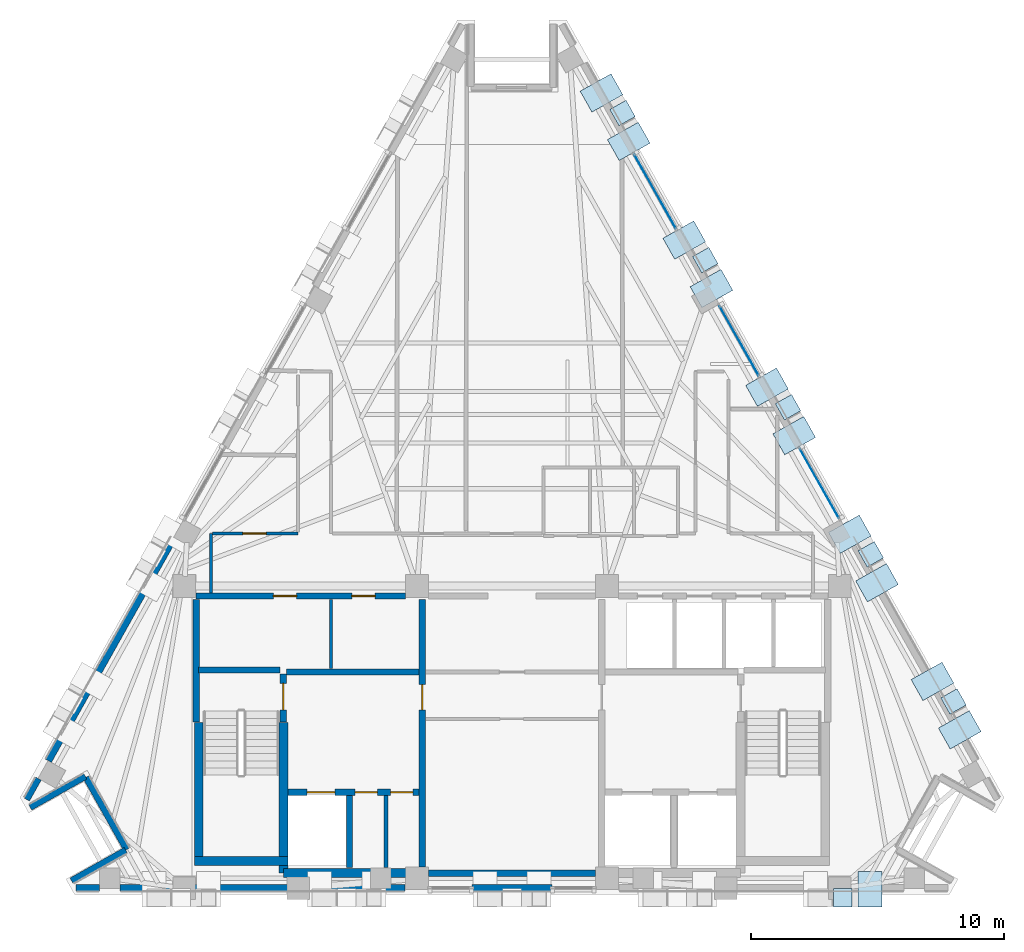
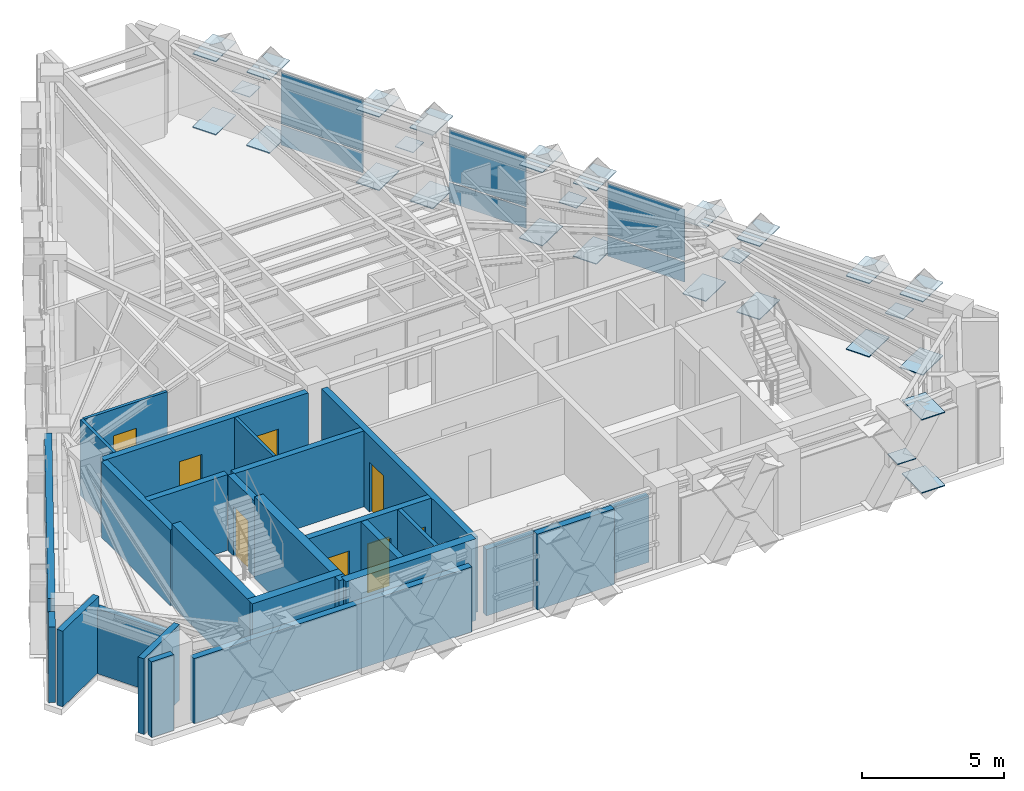
# One storey, part 6 of 10: 34 plates, 25 walls, 8 doors, 8 openings, 3 elements without a shape of their own.
"""IFC4 building model written with IfcOpenShell, lengths in metres."""

from ifc_helpers import new_model, si_unit, direction, frame, frame_2d, origin, origin_2d, place, context, subcontext, project, spatial, rectangle, extrude, material, layer, layer_set, type_object, element, fill, aggregate, save


model = new_model("IFC4")

# Units and contexts
model_context = context("Model", 3, precision=1e-05, world=origin(), true_north=direction((0.0, 1.0)))
body_context = subcontext(model_context, "Body", "Model", "MODEL_VIEW")
ifc_project = project(units=[si_unit("LENGTHUNIT", "METRE"), si_unit("AREAUNIT", "SQUARE_METRE"), si_unit("VOLUMEUNIT", "CUBIC_METRE"), si_unit("PLANEANGLEUNIT", "RADIAN"), si_unit("MASSUNIT", "GRAM", prefix="KILO")], contexts=[model_context])

# Site, building, storey
site_placement = place(None, origin())
site = spatial("IfcSite", under=ifc_project, at=site_placement, CompositionType="ELEMENT")
building_placement = place(site_placement, origin())
building = spatial("IfcBuilding", under=site, at=building_placement, Name="Quenlor Broadcast Tower", CompositionType="ELEMENT")
storey_placement = place(building_placement, frame((0.0, 0.0, 232.39990234375)))
storey = spatial("IfcBuildingStorey", under=building, at=storey_placement, Name="L64", CompositionType="ELEMENT", Elevation=232.39990234375)

# Curtain wall, plates
ifc_material_1 = material(Name="Architectural Terracotta and Low-E Glazing", Category="masonry")
curtain_wall_type = type_object("IfcCurtainWallType", Name="Unitised Terracotta Curtain Wall System Z5", PredefinedType="NOTDEFINED", material=ifc_material_1)
curtain_wall_1_placement = place(storey_placement, origin())
curtain_wall_1 = element("IfcCurtainWall", 1, at=curtain_wall_1_placement, inside=storey, type_object=curtain_wall_type, Name="L64 Curtain Wall CW5 (L64-NEA-G1)", PredefinedType="NOTDEFINED")
ifc_material_2 = material(Name="Double Glazed Low-E Solar Glass", Category="glass")
ifc_layer_1 = layer(ifc_material_2, 0.02587890625)
ifc_layer_set_1 = layer_set([ifc_layer_1], Name="CW5 Double Glazed Vision Panel 26")
plate_type_1 = type_object("IfcPlateType", Name="CW5 Double Glazed Vision Panel 26", PredefinedType="CURTAIN_PANEL", material=ifc_layer_set_1)
plate_1_placement = place(storey_placement, frame((5.65576171875, 10.784423828125, 0.065185546875), z_axis=(0.0, 0.0, 1.0), x_axis=(0.490250335582, -0.871581670563, 0.0)))
plate_1 = element("IfcPlate", 2, at=plate_1_placement, type_object=plate_type_1, Name="CW5 panel 1.1", PredefinedType="CURTAIN_PANEL", context=body_context, shape_type="SweptSolid", body=[
    extrude(rectangle(XDim=3.353271484375, YDim=0.02587890625, at=origin_2d()), origin(), (0.0, 0.0, 1.0), 0.8525390625),
])
plate_2_placement = place(storey_placement, frame((5.65576171875, 10.784423828125, 0.982421875), z_axis=(0.0, 0.0, 1.0), x_axis=(0.490250335582, -0.871581670563, 0.0)))
plate_2 = element("IfcPlate", 3, at=plate_2_placement, type_object=plate_type_1, Name="CW5 panel 1.2", PredefinedType="CURTAIN_PANEL", context=body_context, shape_type="SweptSolid", body=[
    extrude(rectangle(XDim=3.353271484375, YDim=0.02587890625, at=origin_2d()), origin(), (0.0, 0.0, 1.0), 2.202392578125),
])
aggregate(curtain_wall_1, [plate_1, plate_2])

curtain_wall_2_placement = place(storey_placement, origin())
curtain_wall_2 = element("IfcCurtainWall", 4, at=curtain_wall_2_placement, inside=storey, type_object=curtain_wall_type, Name="L64 Curtain Wall CW5 (L64-NE-G1)", PredefinedType="NOTDEFINED")
plate_3_placement = place(storey_placement, frame((8.976806640625, 4.88037109375, 0.065185546875), z_axis=(0.0, 0.0, 1.0), x_axis=(0.490262689797, -0.871574721405, 0.0)))
plate_3 = element("IfcPlate", 5, at=plate_3_placement, type_object=plate_type_1, Name="CW5 panel 1.1", PredefinedType="CURTAIN_PANEL", context=body_context, shape_type="SweptSolid", body=[
    extrude(rectangle(XDim=3.14404296875, YDim=0.02587890625, at=origin_2d()), origin(), (0.0, 0.0, 1.0), 0.8525390625),
])
plate_4_placement = place(storey_placement, frame((8.976806640625, 4.88037109375, 0.982421875), z_axis=(0.0, 0.0, 1.0), x_axis=(0.490262689797, -0.871574721405, 0.0)))
plate_4 = element("IfcPlate", 6, at=plate_4_placement, type_object=plate_type_1, Name="CW5 panel 1.2", PredefinedType="CURTAIN_PANEL", context=body_context, shape_type="SweptSolid", body=[
    extrude(rectangle(XDim=3.14404296875, YDim=0.02587890625, at=origin_2d()), origin(), (0.0, 0.0, 1.0), 2.202392578125),
])
aggregate(curtain_wall_2, [plate_3, plate_4])

curtain_wall_3_placement = place(storey_placement, origin())
curtain_wall_3 = element("IfcCurtainWall", 7, at=curtain_wall_3_placement, inside=storey, type_object=curtain_wall_type, Name="L64 Curtain Wall CW5 (L64-NE-G2)", PredefinedType="NOTDEFINED")
plate_5_placement = place(storey_placement, frame((12.143798828125, -0.75, 0.065185546875), z_axis=(0.0, 0.0, 1.0), x_axis=(0.490262689797, -0.871574721405, 0.0)))
plate_5 = element("IfcPlate", 8, at=plate_5_placement, type_object=plate_type_1, Name="CW5 panel 1.1", PredefinedType="CURTAIN_PANEL", context=body_context, shape_type="SweptSolid", body=[
    extrude(rectangle(XDim=3.14404296875, YDim=0.02587890625, at=origin_2d()), origin(), (0.0, 0.0, 1.0), 0.8525390625),
])
plate_6_placement = place(storey_placement, frame((12.143798828125, -0.75, 0.982421875), z_axis=(0.0, 0.0, 1.0), x_axis=(0.490262689797, -0.871574721405, 0.0)))
plate_6 = element("IfcPlate", 9, at=plate_6_placement, type_object=plate_type_1, Name="CW5 panel 1.2", PredefinedType="CURTAIN_PANEL", context=body_context, shape_type="SweptSolid", body=[
    extrude(rectangle(XDim=3.14404296875, YDim=0.02587890625, at=origin_2d()), origin(), (0.0, 0.0, 1.0), 2.202392578125),
])
aggregate(curtain_wall_3, [plate_5, plate_6])

# Plates
ifc_material_3 = material(Name="Steel S355", Category="steel")
ifc_layer_2 = layer(ifc_material_3, 0.028076171875)
ifc_layer_set_2 = layer_set([ifc_layer_2], Name="Perimeter Lattice Node Steel S355 Cap Plate 740x740x28")
plate_type_2 = type_object("IfcPlateType", Name="Perimeter Lattice Node Steel S355 Cap Plate 740x740x28", PredefinedType="USERDEFINED", material=ifc_layer_set_2)
for number, where, z_axis, x_axis, name in (
    (10, (13.06396484375, -17.1201171875, 1.6162109375), (0.0, 0.0, 1.0), (-1.0, 0.0, 0.0), "L64 Diamond Lattice Crossing Node S-C1"),
    (11, (4.365234375, 13.884521484375, 1.6162109375), (0.0, 0.0, 1.0), (0.490295412055, -0.871556314255, 0.0), "L64 Diamond Lattice Crossing Node NE-C1"),
    (12, (7.635009765625, 8.071533203125, 1.6162109375), (0.0, 0.0, 1.0), (0.490295412055, -0.871556314255, 0.0), "L64 Diamond Lattice Crossing Node NE-C2"),
    (13, (10.904541015625, 2.2587890625, 1.6162109375), (0.0, 0.0, 1.0), (0.490295412055, -0.871556314255, 0.0), "L64 Diamond Lattice Crossing Node NE-C3"),
    (14, (14.17431640625, -3.553955078125, 1.6162109375), (0.0, 0.0, 1.0), (0.490295412055, -0.871556314255, 0.0), "L64 Diamond Lattice Crossing Node NE-C4"),
    (15, (17.444091796875, -9.36669921875, 1.6162109375), (0.0, 0.0, 1.0), (0.490295412055, -0.871556314255, 0.0), "L64 Diamond Lattice Crossing Node NE-C5"),
):
    element("IfcPlate", number, at=place(storey_placement, frame(where, z_axis=z_axis, x_axis=x_axis)), inside=storey, type_object=plate_type_2, Name=name, ObjectType="CAP PLATE", PredefinedType="USERDEFINED", context=body_context, shape_type="SweptSolid", body=[
        extrude(rectangle(XDim=0.739990234375, YDim=0.739990234375, at=origin_2d()), origin(), (0.0, 0.0, 1.0), 0.028076171875),
    ])
ifc_material_4 = material(Name="Steel S355", Category="steel")
ifc_layer_3 = layer(ifc_material_4, 0.035888671875)
ifc_layer_set_3 = layer_set([ifc_layer_3], Name="Transfer Truss Steel S355 Gusset Node Plate 1400x950x36")
plate_type_3 = type_object("IfcPlateType", Name="Transfer Truss Steel S355 Gusset Node Plate 1400x950x36", PredefinedType="SHEET", material=ifc_layer_set_3)
for number, where, z_axis, x_axis, name in (
    (16, (14.1396484375, -16.784912109375, 0.0419921875), (0.0, 0.0, 1.0), (0.0, -1.0, 0.0), "L64 Lattice Tie Gusset Node S-B1"),
    (17, (14.1396484375, -16.784912109375, 3.18212890625), (0.0, 0.0, 1.0), (0.0, -1.0, 0.0), "L64 Lattice Tie Gusset Node S-T1"),
    (18, (3.534912109375, 14.677490234375, 0.0419921875), (0.0, 0.0, 1.0), (0.871556314255, 0.490295412055, 0.0), "L64 Lattice Tie Gusset Node NE-B1"),
    (19, (4.611572265625, 12.762939453125, 3.18212890625), (0.0, 0.0, 1.0), (0.871556314255, 0.490295412055, 0.0), "L64 Lattice Tie Gusset Node NE-T2"),
    (20, (4.611572265625, 12.762939453125, 0.0419921875), (0.0, 0.0, 1.0), (0.871556314255, 0.490295412055, 0.0), "L64 Lattice Tie Gusset Node NE-B2"),
    (21, (3.534912109375, 14.677490234375, 3.18212890625), (0.0, 0.0, 1.0), (0.871556314255, 0.490295412055, 0.0), "L64 Lattice Tie Gusset Node NE-T1"),
    (22, (6.804443359375, 8.864501953125, 0.0419921875), (0.0, 0.0, 1.0), (0.871556314255, 0.490295412055, 0.0), "L64 Lattice Tie Gusset Node NE-B4"),
    (23, (7.88134765625, 6.9501953125, 3.18212890625), (0.0, 0.0, 1.0), (0.871556314255, 0.490295412055, 0.0), "L64 Lattice Tie Gusset Node NE-T5"),
    (24, (7.88134765625, 6.9501953125, 0.0419921875), (0.0, 0.0, 1.0), (0.871556314255, 0.490295412055, 0.0), "L64 Lattice Tie Gusset Node NE-B5"),
    (25, (6.804443359375, 8.864501953125, 3.18212890625), (0.0, 0.0, 1.0), (0.871556314255, 0.490295412055, 0.0), "L64 Lattice Tie Gusset Node NE-T4"),
    (26, (10.07421875, 3.0517578125, 0.0419921875), (0.0, 0.0, 1.0), (0.871556314255, 0.490295412055, 0.0), "L64 Lattice Tie Gusset Node NE-B7"),
    (27, (11.15087890625, 1.137451171875, 3.18212890625), (0.0, 0.0, 1.0), (0.871556314255, 0.490295412055, 0.0), "L64 Lattice Tie Gusset Node NE-T8"),
    (28, (11.15087890625, 1.137451171875, 0.0419921875), (0.0, 0.0, 1.0), (0.871556314255, 0.490295412055, 0.0), "L64 Lattice Tie Gusset Node NE-B8"),
    (29, (10.07421875, 3.0517578125, 3.18212890625), (0.0, 0.0, 1.0), (0.871556314255, 0.490295412055, 0.0), "L64 Lattice Tie Gusset Node NE-T7"),
    (30, (13.343994140625, -2.760986328125, 0.0419921875), (0.0, 0.0, 1.0), (0.871556314255, 0.490295412055, 0.0), "L64 Lattice Tie Gusset Node NE-B10"),
    (31, (14.420654296875, -4.67529296875, 3.18212890625), (0.0, 0.0, 1.0), (0.871556314255, 0.490295412055, 0.0), "L64 Lattice Tie Gusset Node NE-T11"),
    (32, (14.420654296875, -4.67529296875, 0.0419921875), (0.0, 0.0, 1.0), (0.871556314255, 0.490295412055, 0.0), "L64 Lattice Tie Gusset Node NE-B11"),
    (33, (13.343994140625, -2.760986328125, 3.18212890625), (0.0, 0.0, 1.0), (0.871556314255, 0.490295412055, 0.0), "L64 Lattice Tie Gusset Node NE-T10"),
    (34, (16.613525390625, -8.57373046875, 0.0419921875), (0.0, 0.0, 1.0), (0.871556314255, 0.490295412055, 0.0), "L64 Lattice Tie Gusset Node NE-B13"),
    (35, (17.6904296875, -10.48828125, 3.18212890625), (0.0, 0.0, 1.0), (0.871556314255, 0.490295412055, 0.0), "L64 Lattice Tie Gusset Node NE-T14"),
    (36, (17.6904296875, -10.48828125, 0.0419921875), (0.0, 0.0, 1.0), (0.871556314255, 0.490295412055, 0.0), "L64 Lattice Tie Gusset Node NE-B14"),
    (37, (16.613525390625, -8.57373046875, 3.18212890625), (0.0, 0.0, 1.0), (0.871556314255, 0.490295412055, 0.0), "L64 Lattice Tie Gusset Node NE-T13"),
):
    element("IfcPlate", number, at=place(storey_placement, frame(where, z_axis=z_axis, x_axis=x_axis)), inside=storey, type_object=plate_type_3, Name=name, PredefinedType="SHEET", context=body_context, shape_type="SweptSolid", body=[
        extrude(rectangle(XDim=1.39990234375, YDim=0.949951171875, at=origin_2d()), origin(), (0.0, 0.0, 1.0), 0.035888671875),
    ])

# Walls
ifc_material_5 = material(Name="Concrete C50/60", Category="concrete")
ifc_layer_4 = layer(ifc_material_5, 0.35009765625)
ifc_layer_set_4 = layer_set([ifc_layer_4], Name="Core Concrete C50/60 Shear Wall 350")
wall_type_1 = type_object("IfcWallType", Name="Core Concrete C50/60 Shear Wall 350", PredefinedType="SHEAR", material=ifc_layer_set_4)
wall_1_placement = place(storey_placement, frame((-12.550048828125, -15.675048828125, 0.0), z_axis=(0.0, 0.0, 1.0), x_axis=(1.0, 0.0, 0.0)))
element("IfcWall", 38, at=wall_1_placement, inside=storey, type_object=wall_type_1, Name="L64 Core Shear Wall WS-W1", PredefinedType="SHEAR", context=body_context, shape_type="SweptSolid", body=[
    extrude(rectangle(XDim=3.699951171875, YDim=0.35009765625, at=frame_2d((1.85009765625, 0.0))), origin(), (0.0, 0.0, 1.0), 3.5),
])
wall_2_placement = place(storey_placement, frame((-9.02490234375, -16.14990234375, 0.0), z_axis=(0.0, 0.0, 1.0), x_axis=(1.0, 0.0, 0.0)))
element("IfcWall", 39, at=wall_2_placement, inside=storey, type_object=wall_type_1, Name="L64 Core Shear Wall WS-W2", PredefinedType="SHEAR", context=body_context, shape_type="SweptSolid", body=[
    extrude(rectangle(XDim=5.27490234375, YDim=0.35009765625, at=frame_2d((2.637451171875, 0.0))), origin(), (0.0, 0.0, 1.0), 3.5),
])
wall_3_placement = place(storey_placement, frame((-12.375, -15.675048828125, 0.0), z_axis=(0.0, 0.0, 1.0), x_axis=(0.0, 1.0, 0.0)))
element("IfcWall", 40, at=wall_3_placement, inside=storey, type_object=wall_type_1, Name="L64 Core Shear Wall WF-W", PredefinedType="SHEAR", context=body_context, shape_type="SweptSolid", body=[
    extrude(rectangle(XDim=5.47509765625, YDim=0.35009765625, at=frame_2d((2.737548828125, 0.0))), origin(), (0.0, 0.0, 1.0), 3.5),
])
wall_4_placement = place(storey_placement, frame((-9.02490234375, -16.14990234375, 0.0), z_axis=(0.0, 0.0, 1.0), x_axis=(0.0, 1.0, 0.0)))
element("IfcWall", 41, at=wall_4_placement, inside=storey, type_object=wall_type_1, Name="L64 Core Shear Wall WI-W", PredefinedType="SHEAR", context=body_context, shape_type="SweptSolid", body=[
    extrude(rectangle(XDim=5.949951171875, YDim=0.35009765625, at=frame_2d((2.97509765625, 0.0))), origin(), (0.0, 0.0, 1.0), 3.5),
])

# Wall, opening, door
ifc_material_6 = material(Name="Concrete C40/50", Category="concrete")
ifc_layer_5 = layer(ifc_material_6, 0.25)
ifc_layer_set_5 = layer_set([ifc_layer_5], Name="Fire Rated Concrete C40/50 Core Wall 250")
wall_type_2 = type_object("IfcWallType", Name="Fire Rated Concrete C40/50 Core Wall 250", PredefinedType="PARTITIONING", material=ifc_layer_set_5)
wall_5_placement = place(storey_placement, frame((-9.0400390625, -10.179931640625, 0.0), z_axis=(0.0, 0.0, 1.0), x_axis=(0.0, 1.0, 0.0)))
wall_5 = element("IfcWall", 42, at=wall_5_placement, inside=storey, type_object=wall_type_2, Name="L64 Interior Wall CW-ST1-DR", PredefinedType="PARTITIONING", context=body_context, shape_type="SweptSolid", body=[
    extrude(rectangle(XDim=1.89990234375, YDim=0.25, at=frame_2d((0.949951171875, 0.0))), origin(), (0.0, 0.0, 1.0), 3.25),
])
opening_1_placement = place(wall_5_placement, frame((0.47998046875, 0.0, 0.0)))
opening_1 = element("IfcOpeningElement", 43, at=opening_1_placement, cuts=wall_5, Name="Opening FD-1", PredefinedType="OPENING", context=body_context, shape_type="SweptSolid", body=[
    extrude(rectangle(XDim=1.050048828125, YDim=2.14990234375, at=frame_2d((0.52490234375, 1.074951171875))), frame((0.0, 0.135009765625, 0.0), z_axis=(0.0, -1.0, 0.0), x_axis=(1.0, 0.0, 0.0)), (0.0, 0.0, 1.0), 0.27001953125),
])
ifc_material_7 = material(Name="Fire Rated Steel Door Leaf", Category="steel")
door_type_1 = type_object("IfcDoorType", Name="Fire Isolated Stair Door 1050x2150", OperationType="NOTDEFINED", PredefinedType="DOOR", material=ifc_material_7)
door_1_placement = place(opening_1_placement, origin())
door_1 = element("IfcDoor", 44, at=door_1_placement, inside=storey, type_object=door_type_1, Name="L64 Door DR-ST1", OperationType="SINGLE_SWING_LEFT", OverallHeight=2.14990234375, OverallWidth=1.050048828125, PredefinedType="DOOR", context=body_context, shape_type="SweptSolid", body=[
    extrude(rectangle(XDim=1.050048828125, YDim=2.14990234375, at=frame_2d((0.52490234375, 1.074951171875))), frame((0.0, 0.02490234375, 0.0), z_axis=(0.0, -1.0, 0.0), x_axis=(1.0, 0.0, 0.0)), (0.0, 0.0, 1.0), 0.050048828125),
])
fill(opening_1, door_1)

# Walls
wall_6_placement = place(storey_placement, frame((-12.3798828125, -8.1201171875, 0.0), z_axis=(0.0, 0.0, 1.0), x_axis=(1.0, 0.0, 0.0)))
element("IfcWall", 45, at=wall_6_placement, inside=storey, type_object=wall_type_2, Name="L64 Interior Wall CW-ST1-N", PredefinedType="PARTITIONING", context=body_context, shape_type="SweptSolid", body=[
    extrude(rectangle(XDim=3.219970703125, YDim=0.25, at=frame_2d((1.60986328125, 0.0))), origin(), (0.0, 0.0, 1.0), 3.25),
])
wall_7_placement = place(storey_placement, frame((-12.47998046875, -10.179931640625, 0.0), z_axis=(0.0, 0.0, 1.0), x_axis=(0.0, 1.0, 0.0)))
element("IfcWall", 46, at=wall_7_placement, inside=storey, type_object=wall_type_2, Name="L64 Interior Wall CW-ST1-W2", PredefinedType="PARTITIONING", context=body_context, shape_type="SweptSolid", body=[
    extrude(rectangle(XDim=4.83984375, YDim=0.25, at=frame_2d((2.419921875, 0.0))), origin(), (0.0, 0.0, 1.0), 3.25),
])

# Wall, openings, doors
wall_8_placement = place(storey_placement, frame((-8.847900390625, -12.949951171875, 0.0), z_axis=(0.0, 0.0, 1.0), x_axis=(1.0, 0.0, 0.0)))
wall_8 = element("IfcWall", 47, at=wall_8_placement, inside=storey, type_object=wall_type_2, Name="L64 Interior Wall CW-FFW-S", PredefinedType="PARTITIONING", context=body_context, shape_type="SweptSolid", body=[
    extrude(rectangle(XDim=5.16796875, YDim=0.25, at=frame_2d((2.583984375, 0.0))), origin(), (0.0, 0.0, 1.0), 3.25),
])
opening_2_placement = place(wall_8_placement, frame((0.748046875, 0.0, 0.0)))
opening_2 = element("IfcOpeningElement", 48, at=opening_2_placement, cuts=wall_8, Name="Opening LD-FFL-1", PredefinedType="OPENING", context=body_context, shape_type="SweptSolid", body=[
    extrude(rectangle(XDim=1.10009765625, YDim=2.14990234375, at=frame_2d((0.550048828125, 1.074951171875))), frame((0.0, 0.135009765625, 0.0), z_axis=(0.0, -1.0, 0.0), x_axis=(1.0, 0.0, 0.0)), (0.0, 0.0, 1.0), 0.27001953125),
])
opening_3_placement = place(wall_8_placement, frame((2.64794921875, 0.0, 0.0)))
opening_3 = element("IfcOpeningElement", 49, at=opening_3_placement, cuts=wall_8, Name="Opening TD-1", PredefinedType="OPENING", context=body_context, shape_type="SweptSolid", body=[
    extrude(rectangle(XDim=0.8798828125, YDim=2.10009765625, at=frame_2d((0.43994140625, 1.050048828125))), frame((0.0, 0.135009765625, 0.0), z_axis=(0.0, -1.0, 0.0), x_axis=(1.0, 0.0, 0.0)), (0.0, 0.0, 1.0), 0.27001953125),
])
opening_4_placement = place(wall_8_placement, frame((4.048095703125, 0.0, 0.0)))
opening_4 = element("IfcOpeningElement", 50, at=opening_4_placement, cuts=wall_8, Name="Opening TD-1", PredefinedType="OPENING", context=body_context, shape_type="SweptSolid", body=[
    extrude(rectangle(XDim=0.8798828125, YDim=2.10009765625, at=frame_2d((0.43994140625, 1.050048828125))), frame((0.0, 0.135009765625, 0.0), z_axis=(0.0, -1.0, 0.0), x_axis=(1.0, 0.0, 0.0)), (0.0, 0.0, 1.0), 0.27001953125),
])
ifc_material_8 = material(Name="Brushed Stainless Steel", Category="steel")
door_type_2 = type_object("IfcDoorType", Name="Emergency Lift Sliding Landing Door 1100x2150", OperationType="NOTDEFINED", PredefinedType="DOOR", material=ifc_material_8)
door_2_placement = place(opening_2_placement, origin())
door_2 = element("IfcDoor", 51, at=door_2_placement, inside=storey, type_object=door_type_2, Name="L64 Door LD-FFL-1", OperationType="SLIDING_TO_LEFT", OverallHeight=2.14990234375, OverallWidth=1.10009765625, PredefinedType="DOOR", context=body_context, shape_type="SweptSolid", body=[
    extrude(rectangle(XDim=1.10009765625, YDim=2.14990234375, at=frame_2d((0.550048828125, 1.074951171875))), frame((0.0, 0.02490234375, 0.0), z_axis=(0.0, -1.0, 0.0), x_axis=(1.0, 0.0, 0.0)), (0.0, 0.0, 1.0), 0.050048828125),
])
fill(opening_2, door_2)
ifc_material_9 = material(Name="Fire Rated Steel Access Panel", Category="steel")
door_type_3 = type_object("IfcDoorType", Name="Riser Shaft Rated Access Trapdoor 880x2100", OperationType="NOTDEFINED", PredefinedType="TRAPDOOR", material=ifc_material_9)
door_3_placement = place(opening_3_placement, origin())
door_3 = element("IfcDoor", 52, at=door_3_placement, inside=storey, type_object=door_type_3, Name="L64 Door DR-ELR", OperationType="SINGLE_SWING_LEFT", OverallHeight=2.10009765625, OverallWidth=0.8798828125, PredefinedType="TRAPDOOR", context=body_context, shape_type="SweptSolid", body=[
    extrude(rectangle(XDim=0.8798828125, YDim=2.10009765625, at=frame_2d((0.43994140625, 1.050048828125))), frame((0.0, 0.02490234375, 0.0), z_axis=(0.0, -1.0, 0.0), x_axis=(1.0, 0.0, 0.0)), (0.0, 0.0, 1.0), 0.050048828125),
])
fill(opening_3, door_3)
door_4_placement = place(opening_4_placement, origin())
door_4 = element("IfcDoor", 53, at=door_4_placement, inside=storey, type_object=door_type_3, Name="L64 Door DR-CMR", OperationType="SINGLE_SWING_RIGHT", OverallHeight=2.10009765625, OverallWidth=0.8798828125, PredefinedType="TRAPDOOR", context=body_context, shape_type="SweptSolid", body=[
    extrude(rectangle(XDim=0.8798828125, YDim=2.10009765625, at=frame_2d((0.43994140625, 1.050048828125))), frame((0.0, 0.02490234375, 0.0), z_axis=(0.0, -1.0, 0.0), x_axis=(1.0, 0.0, 0.0)), (0.0, 0.0, 1.0), 0.050048828125),
])
fill(opening_4, door_4)

# Walls
wall_9_placement = place(storey_placement, frame((-6.419921875, -15.919921875, 0.0), z_axis=(0.0, 0.0, 1.0), x_axis=(0.0, 1.0, 0.0)))
element("IfcWall", 54, at=wall_9_placement, inside=storey, type_object=wall_type_2, Name="L64 Interior Wall CW-FF1-E", PredefinedType="PARTITIONING", context=body_context, shape_type="SweptSolid", body=[
    extrude(rectangle(XDim=2.829833984375, YDim=0.25, at=frame_2d((1.4150390625, 0.0))), origin(), (0.0, 0.0, 1.0), 3.25),
])
wall_10_placement = place(storey_placement, frame((-8.919921875, -8.199951171875, 0.0), z_axis=(0.0, 0.0, 1.0), x_axis=(1.0, 0.0, 0.0)))
element("IfcWall", 55, at=wall_10_placement, inside=storey, type_object=wall_type_2, Name="L64 Interior Wall CW-FFW-N", PredefinedType="PARTITIONING", context=body_context, shape_type="SweptSolid", body=[
    extrude(rectangle(XDim=5.239990234375, YDim=0.25, at=frame_2d((2.6201171875, 0.0))), origin(), (0.0, 0.0, 1.0), 3.25),
])

# Wall, opening, door
wall_11_placement = place(storey_placement, frame((-3.550048828125, -15.89794921875, 0.0), z_axis=(0.0, 0.0, 1.0), x_axis=(0.0, 1.0, 0.0)))
wall_11 = element("IfcWall", 56, at=wall_11_placement, inside=storey, type_object=wall_type_2, Name="L64 Interior Wall CW-FFW-E", PredefinedType="PARTITIONING", context=body_context, shape_type="SweptSolid", body=[
    extrude(rectangle(XDim=10.557861328125, YDim=0.25, at=frame_2d((5.27880859375, 0.0))), origin(), (0.0, 0.0, 1.0), 3.25),
])
opening_5_placement = place(wall_11_placement, frame((6.197998046875, 0.0, 0.0)))
opening_5 = element("IfcOpeningElement", 57, at=opening_5_placement, cuts=wall_11, Name="Opening FD-2", PredefinedType="OPENING", context=body_context, shape_type="SweptSolid", body=[
    extrude(rectangle(XDim=1.0, YDim=2.14990234375, at=frame_2d((0.5, 1.074951171875))), frame((0.0, 0.135009765625, 0.0), z_axis=(0.0, -1.0, 0.0), x_axis=(1.0, 0.0, 0.0)), (0.0, 0.0, 1.0), 0.27001953125),
])
ifc_material_10 = material(Name="Fire Rated Glazed Steel Door", Category="steel")
door_type_4 = type_object("IfcDoorType", Name="Firefighting Lobby Smoke Door 1000x2150", OperationType="NOTDEFINED", PredefinedType="DOOR", material=ifc_material_10)
door_5_placement = place(opening_5_placement, origin())
door_5 = element("IfcDoor", 58, at=door_5_placement, inside=storey, type_object=door_type_4, Name="L64 Door DR-FFLW", OperationType="SINGLE_SWING_RIGHT", OverallHeight=2.14990234375, OverallWidth=1.0, PredefinedType="DOOR", context=body_context, shape_type="SweptSolid", body=[
    extrude(rectangle(XDim=1.0, YDim=2.14990234375, at=frame_2d((0.5, 1.074951171875))), frame((0.0, 0.02490234375, 0.0), z_axis=(0.0, -1.0, 0.0), x_axis=(1.0, 0.0, 0.0)), (0.0, 0.0, 1.0), 0.050048828125),
])
fill(opening_5, door_5)

# Wall, openings, doors
wall_12_placement = place(storey_placement, frame((-12.47998046875, -5.199951171875, 0.0), z_axis=(0.0, 0.0, 1.0), x_axis=(1.0, 0.0, 0.0)))
wall_12 = element("IfcWall", 59, at=wall_12_placement, inside=storey, type_object=wall_type_2, Name="L64 Interior Wall CW-N-W", PredefinedType="PARTITIONING", context=body_context, shape_type="SweptSolid", body=[
    extrude(rectangle(XDim=8.278076171875, YDim=0.25, at=frame_2d((4.13916015625, 0.0))), origin(), (0.0, 0.0, 1.0), 3.25),
])
opening_6_placement = place(wall_12_placement, frame((3.050048828125, 0.0, 0.0)))
opening_6 = element("IfcOpeningElement", 60, at=opening_6_placement, cuts=wall_12, Name="Opening ID-1", PredefinedType="OPENING", context=body_context, shape_type="SweptSolid", body=[
    extrude(rectangle(XDim=0.919921875, YDim=2.1201171875, at=frame_2d((0.4599609375, 1.06005859375))), frame((0.0, 0.135009765625, 0.0), z_axis=(0.0, -1.0, 0.0), x_axis=(1.0, 0.0, 0.0)), (0.0, 0.0, 1.0), 0.27001953125),
])
opening_7_placement = place(wall_12_placement, frame((6.14990234375, 0.0, 0.0)))
opening_7 = element("IfcOpeningElement", 61, at=opening_7_placement, cuts=wall_12, Name="Opening ID-1", PredefinedType="OPENING", context=body_context, shape_type="SweptSolid", body=[
    extrude(rectangle(XDim=0.919921875, YDim=2.1201171875, at=frame_2d((0.4599609375, 1.06005859375))), frame((0.0, 0.135009765625, 0.0), z_axis=(0.0, -1.0, 0.0), x_axis=(1.0, 0.0, 0.0)), (0.0, 0.0, 1.0), 0.27001953125),
])
ifc_material_11 = material(Name="Solid Core Timber Oak", Category="wood")
door_type_5 = type_object("IfcDoorType", Name="Single Leaf Timber Office Door 920x2120", OperationType="NOTDEFINED", PredefinedType="DOOR", material=ifc_material_11)
door_6_placement = place(opening_6_placement, origin())
door_6 = element("IfcDoor", 62, at=door_6_placement, inside=storey, type_object=door_type_5, Name="L64 Door DR-RCL1", OperationType="SINGLE_SWING_LEFT", OverallHeight=2.1201171875, OverallWidth=0.919921875, PredefinedType="DOOR", context=body_context, shape_type="SweptSolid", body=[
    extrude(rectangle(XDim=0.919921875, YDim=2.1201171875, at=frame_2d((0.4599609375, 1.06005859375))), frame((0.0, 0.02490234375, 0.0), z_axis=(0.0, -1.0, 0.0), x_axis=(1.0, 0.0, 0.0)), (0.0, 0.0, 1.0), 0.050048828125),
])
fill(opening_6, door_6)
door_7_placement = place(opening_7_placement, origin())
door_7 = element("IfcDoor", 63, at=door_7_placement, inside=storey, type_object=door_type_5, Name="L64 Door DR-RCL2", OperationType="SINGLE_SWING_RIGHT", OverallHeight=2.1201171875, OverallWidth=0.919921875, PredefinedType="DOOR", context=body_context, shape_type="SweptSolid", body=[
    extrude(rectangle(XDim=0.919921875, YDim=2.1201171875, at=frame_2d((0.4599609375, 1.06005859375))), frame((0.0, 0.02490234375, 0.0), z_axis=(0.0, -1.0, 0.0), x_axis=(1.0, 0.0, 0.0)), (0.0, 0.0, 1.0), 0.050048828125),
])
fill(opening_7, door_7)

# Walls
wall_13_placement = place(storey_placement, frame((-3.298095703125, -16.14990234375, 0.0), z_axis=(0.0, 0.0, 1.0), x_axis=(1.0, 0.0, 0.0)))
element("IfcWall", 64, at=wall_13_placement, inside=storey, type_object=wall_type_2, Name="L64 Interior Wall CW-MS-S", PredefinedType="PARTITIONING", context=body_context, shape_type="SweptSolid", body=[
    extrude(rectangle(XDim=6.59619140625, YDim=0.25, at=frame_2d((3.298095703125, 0.0))), origin(), (0.0, 0.0, 1.0), 2.84375),
])
ifc_material_12 = material(Name="Gypsum Fireboard Partition", Category="other")
ifc_layer_6 = layer(ifc_material_12, 0.159912109375)
ifc_layer_set_6 = layer_set([ifc_layer_6], Name="Fire Rated Shaft and Corridor Partition 160")
wall_type_3 = type_object("IfcWallType", Name="Fire Rated Shaft and Corridor Partition 160", PredefinedType="PARTITIONING", material=ifc_layer_set_6)
wall_14_placement = place(storey_placement, frame((-4.97998046875, -15.919921875, 0.0), z_axis=(0.0, 0.0, 1.0), x_axis=(0.0, 1.0, 0.0)))
element("IfcWall", 65, at=wall_14_placement, inside=storey, type_object=wall_type_3, Name="L64 Interior Wall CW-ELR-E", PredefinedType="PARTITIONING", context=body_context, shape_type="SweptSolid", body=[
    extrude(rectangle(XDim=2.829833984375, YDim=0.159912109375, at=frame_2d((1.4150390625, 0.0))), origin(), (0.0, 0.0, 1.0), 3.25),
])
ifc_material_13 = material(Name="Gypsum Plasterboard Partition", Category="other")
ifc_layer_7 = layer(ifc_material_13, 0.1201171875)
ifc_layer_set_7 = layer_set([ifc_layer_7], Name="Standard Office Partition 120")
wall_type_4 = type_object("IfcWallType", Name="Standard Office Partition 120", PredefinedType="PARTITIONING", material=ifc_layer_set_7)
wall_15_placement = place(storey_placement, frame((-7.14990234375, -8.072998046875, 0.0), z_axis=(0.0, 0.0, 1.0), x_axis=(0.0, 1.0, 0.0)))
element("IfcWall", 66, at=wall_15_placement, inside=storey, type_object=wall_type_4, Name="L64 Interior Wall CW-RCL-MID", PredefinedType="PARTITIONING", context=body_context, shape_type="SweptSolid", body=[
    extrude(rectangle(XDim=2.73291015625, YDim=0.1201171875, at=frame_2d((1.366455078125, 0.0))), origin(), (0.0, 0.0, 1.0), 3.25),
])
wall_16_placement = place(storey_placement, frame((-11.89990234375, -5.072998046875, 0.0), z_axis=(0.0, 0.0, 1.0), x_axis=(0.0, 1.0, 0.0)))
element("IfcWall", 67, at=wall_16_placement, inside=storey, type_object=wall_type_4, Name="L64 Interior Wall PW-CR-01", PredefinedType="PARTITIONING", context=body_context, shape_type="SweptSolid", body=[
    extrude(rectangle(XDim=2.343017578125, YDim=0.1201171875, at=frame_2d((1.17138671875, 0.0))), origin(), (0.0, 0.0, 1.0), 3.25),
])

# Wall, opening, door
wall_17_placement = place(storey_placement, frame((-11.837890625, -2.72998046875, 0.0), z_axis=(0.0, 0.0, 1.0), x_axis=(1.0, 0.0, 0.0)))
wall_17 = element("IfcWall", 68, at=wall_17_placement, inside=storey, type_object=wall_type_4, Name="L64 Interior Wall PW-CR-02", PredefinedType="PARTITIONING", context=body_context, shape_type="SweptSolid", body=[
    extrude(rectangle(XDim=3.387939453125, YDim=0.1201171875, at=frame_2d((1.69384765625, 0.0))), origin(), (0.0, 0.0, 1.0), 3.25),
])
opening_8_placement = place(wall_17_placement, frame((1.202880859375, 0.0, 0.0)))
opening_8 = element("IfcOpeningElement", 69, at=opening_8_placement, cuts=wall_17, Name="Opening ID-1", PredefinedType="OPENING", context=body_context, shape_type="SweptSolid", body=[
    extrude(rectangle(XDim=0.919921875, YDim=2.1201171875, at=frame_2d((0.4599609375, 1.06005859375))), frame((0.0, 0.070068359375, 0.0), z_axis=(0.0, -1.0, 0.0), x_axis=(1.0, 0.0, 0.0)), (0.0, 0.0, 1.0), 0.14013671875),
])
door_8_placement = place(opening_8_placement, origin())
door_8 = element("IfcDoor", 70, at=door_8_placement, inside=storey, type_object=door_type_5, Name="L64 Door DR-RM07", OperationType="SINGLE_SWING_LEFT", OverallHeight=2.1201171875, OverallWidth=0.919921875, PredefinedType="DOOR", context=body_context, shape_type="SweptSolid", body=[
    extrude(rectangle(XDim=0.919921875, YDim=2.1201171875, at=frame_2d((0.4599609375, 1.06005859375))), frame((0.0, 0.02490234375, 0.0), z_axis=(0.0, -1.0, 0.0), x_axis=(1.0, 0.0, 0.0)), (0.0, 0.0, 1.0), 0.050048828125),
])
fill(opening_8, door_8)

# Walls
ifc_material_14 = material(Name="Precast concrete C40/50", Category="concrete")
ifc_layer_8 = layer(ifc_material_14, 0.239990234375)
ifc_layer_set_8 = layer_set([ifc_layer_8], Name="Terrace Threshold Precast Concrete C40/50 Wall 240")
wall_type_5 = type_object("IfcWallType", Name="Terrace Threshold Precast Concrete C40/50 Wall 240", PredefinedType="STANDARD", material=ifc_layer_set_8)
wall_18_placement = place(storey_placement, frame((-16.302490234375, -16.72509765625, 0.0), z_axis=(0.0, 0.0, 1.0), x_axis=(-1.0, 0.0, 0.0)))
element("IfcWall", 71, at=wall_18_placement, inside=storey, type_object=wall_type_5, Name="L64 Exterior Wall L64-SHD-SS1", PredefinedType="STANDARD", context=body_context, shape_type="SweptSolid", body=[
    extrude(rectangle(XDim=0.91748046875, YDim=0.239990234375, at=frame_2d((0.458740234375, 0.0))), origin(), (0.0, 0.0, 1.0), 3.25),
])
wall_19_placement = place(storey_placement, frame((-19.1708984375, -13.242431640625, 0.0), z_axis=(0.0, 0.0, 1.0), x_axis=(0.490199895283, 0.871610040479, 0.0)))
element("IfcWall", 72, at=wall_19_placement, inside=storey, type_object=wall_type_5, Name="L64 Exterior Wall L64-SHD-NWS0", PredefinedType="STANDARD", context=body_context, shape_type="SweptSolid", body=[
    extrude(rectangle(XDim=0.94482421875, YDim=0.239990234375, at=frame_2d((0.472412109375, 0.0))), origin(), (0.0, 0.0, 1.0), 3.25),
])
wall_20_placement = place(storey_placement, frame((-19.033447265625, -13.556396484375, 0.0), z_axis=(0.0, 0.0, 1.0), x_axis=(0.871588577066, 0.490238056792, 0.0)))
element("IfcWall", 73, at=wall_20_placement, inside=storey, type_object=wall_type_5, Name="L64 Exterior Wall L64-CNR-13", PredefinedType="STANDARD", context=body_context, shape_type="SweptSolid", body=[
    extrude(rectangle(XDim=2.5, YDim=0.239990234375, at=frame_2d((1.25, 0.0))), origin(), (0.0, 0.0, 1.0), 3.25),
])
wall_21_placement = place(storey_placement, frame((-16.8349609375, -12.36572265625, 0.0), z_axis=(0.0, 0.0, 1.0), x_axis=(0.490293083368, -0.871557624258, 0.0)))
element("IfcWall", 74, at=wall_21_placement, inside=storey, type_object=wall_type_5, Name="L64 Exterior Wall L64-CNR-14", PredefinedType="STANDARD", context=body_context, shape_type="SweptSolid", body=[
    extrude(rectangle(XDim=3.276123046875, YDim=0.239990234375, at=frame_2d((1.63818359375, 0.0))), origin(), (0.0, 0.0, 1.0), 2.789794921875),
])
wall_22_placement = place(storey_placement, frame((-15.263671875, -15.240478515625, 0.0), z_axis=(0.0, 0.0, 1.0), x_axis=(-0.87157023615, -0.490270663468, 0.0)))
element("IfcWall", 75, at=wall_22_placement, inside=storey, type_object=wall_type_5, Name="L64 Exterior Wall L64-CNR-15", PredefinedType="STANDARD", context=body_context, shape_type="SweptSolid", body=[
    extrude(rectangle(XDim=2.4599609375, YDim=0.239990234375, at=frame_2d((1.22998046875, 0.0))), origin(), (0.0, 0.0, 1.0), 3.25),
])
ifc_material_15 = material(Name="Precast concrete C40/50", Category="concrete")
ifc_layer_9 = layer(ifc_material_15, 0.260009765625)
ifc_layer_set_9 = layer_set([ifc_layer_9], Name="Terracotta Precast Concrete C40/50 Upper Wall 260")
wall_type_6 = type_object("IfcWallType", Name="Terracotta Precast Concrete C40/50 Upper Wall 260", PredefinedType="STANDARD", material=ifc_layer_set_9)
wall_23_placement = place(storey_placement, frame((-4.219970703125, -16.72509765625, 0.0), z_axis=(0.0, 0.0, 1.0), x_axis=(-1.0, 0.0, 0.0)))
element("IfcWall", 76, at=wall_23_placement, inside=storey, type_object=wall_type_6, Name="L64 Exterior Wall L64-EW-SC", PredefinedType="STANDARD", context=body_context, shape_type="SweptSolid", body=[
    extrude(rectangle(XDim=11.272705078125, YDim=0.260009765625, at=frame_2d((5.63623046875, 0.0))), origin(), (0.0, 0.0, 1.0), 2.789794921875),
])
wall_24_placement = place(storey_placement, frame((1.571533203125, -16.72509765625, 0.0), z_axis=(0.0, 0.0, 1.0), x_axis=(-1.0, 0.0, 0.0)))
element("IfcWall", 77, at=wall_24_placement, inside=storey, type_object=wall_type_6, Name="L64 Exterior Wall L64-S-SP1", PredefinedType="STANDARD", context=body_context, shape_type="SweptSolid", body=[
    extrude(rectangle(XDim=3.14306640625, YDim=0.260009765625, at=frame_2d((1.571533203125, 0.0))), origin(), (0.0, 0.0, 1.0), 3.25),
])
wall_25_placement = place(storey_placement, frame((-18.310546875, -11.712890625, 0.0), z_axis=(0.0, 0.0, 1.0), x_axis=(0.490266968583, 0.871572314565, 0.0)))
element("IfcWall", 78, at=wall_25_placement, inside=storey, type_object=wall_type_6, Name="L64 Exterior Wall L64-EW-NWA", PredefinedType="STANDARD", context=body_context, shape_type="SweptSolid", body=[
    extrude(rectangle(XDim=10.116455078125, YDim=0.260009765625, at=frame_2d((5.05810546875, 0.0))), origin(), (0.0, 0.0, 1.0), 3.25),
])

save(model, "model.ifc")
